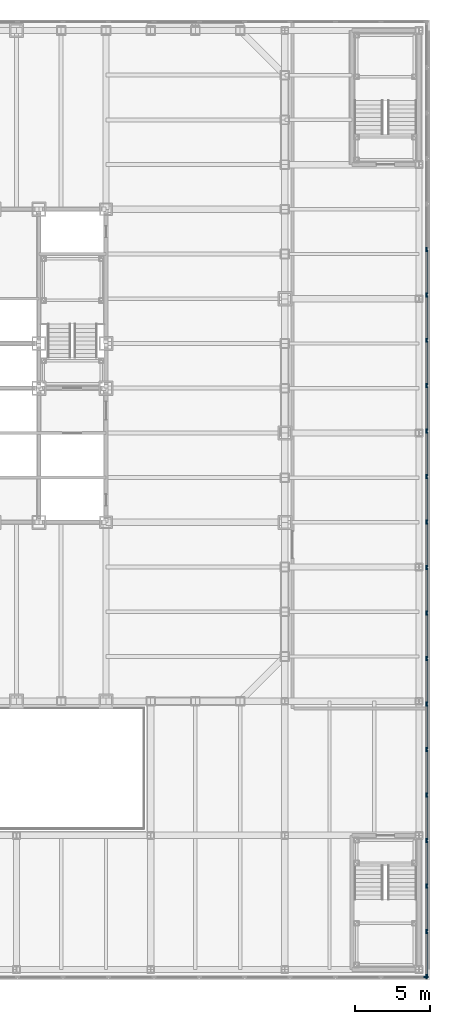
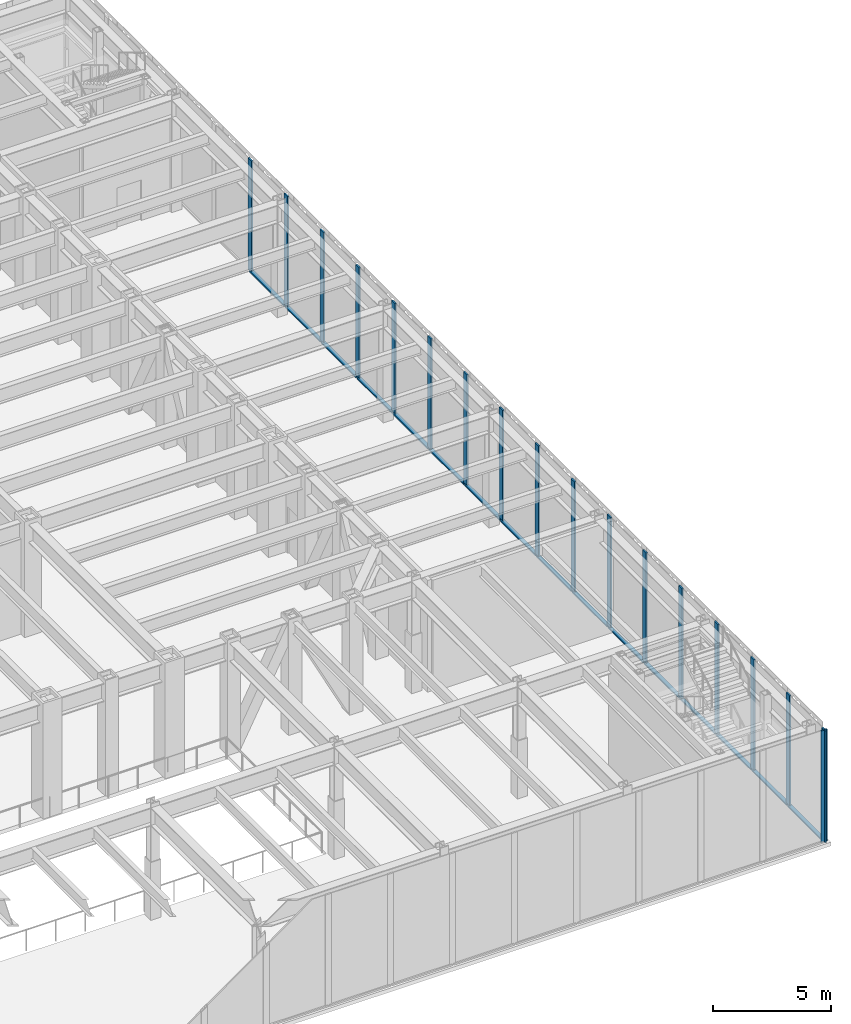
# One storey, part 9 of 32: 34 members, 2 elements without a shape of their own.
"""IFC4 building model written with IfcOpenShell, lengths in metres."""

from ifc_helpers import new_model, si_unit, direction, frame, origin, origin_2d, place, context, subcontext, project, spatial, rectangle, extrude, material, layer, layer_set, material_profile, profile_set, type_object, element, aggregate, save


model = new_model("IFC4")

# Units and contexts
model_context = context("Model", 3, precision=1e-05, world=origin(), true_north=direction((0.0, 1.0)))
body_context = subcontext(model_context, "Body", "Model", "MODEL_VIEW")
ifc_project = project(units=[si_unit("LENGTHUNIT", "METRE"), si_unit("AREAUNIT", "SQUARE_METRE"), si_unit("VOLUMEUNIT", "CUBIC_METRE"), si_unit("PLANEANGLEUNIT", "RADIAN"), si_unit("MASSUNIT", "GRAM", prefix="KILO")], contexts=[model_context])

# Site, building, storey
site_placement = place(None, origin())
site = spatial("IfcSite", under=ifc_project, at=site_placement, CompositionType="ELEMENT")
building_placement = place(site_placement, origin())
building = spatial("IfcBuilding", under=site, at=building_placement, Name="Chuquiago Exchange Tower", CompositionType="ELEMENT")
storey_placement = place(building_placement, frame((0.0, 0.0, 13.5)))
storey = spatial("IfcBuildingStorey", under=building, at=storey_placement, Name="L02", CompositionType="ELEMENT", Elevation=13.5)

# Curtain wall, member
ifc_material_1 = material(Name="Aluminium curtain wall system", Category="aluminium")
ifc_layer = layer(ifc_material_1, 0.300048828125)
ifc_layer_set = layer_set([ifc_layer], Name="CW4 podium curtain wall")
curtain_wall_type = type_object("IfcCurtainWallType", Name="CW4 podium curtain wall", PredefinedType="NOTDEFINED", material=ifc_layer_set)
curtain_wall_1_placement = place(storey_placement, origin())
curtain_wall_1 = element("IfcCurtainWall", 1, at=curtain_wall_1_placement, inside=storey, type_object=curtain_wall_type, Name="CW4 curtain wall L02", PredefinedType="NOTDEFINED")
ifc_material_2 = material(Name="Aluminium mullion, pale anodised", Category="aluminium")
ifc_material_profile_1 = material_profile(ifc_material_2, rectangle(XDim=0.074951171875, YDim=0.300048828125, at=origin_2d()), Name="AL 75x300")
ifc_profile_set_1 = profile_set([ifc_material_profile_1], Name="Aluminium mullion, pale anodised")
member_type_1 = type_object("IfcMemberType", Name="CW4-M mullion 75x300", PredefinedType="MULLION", material=ifc_profile_set_1)
member_1_placement = place(storey_placement, frame((54.46240234375, -18.5, 0.0), z_axis=(0.0, 0.0, 1.0), x_axis=(0.0, 1.0, 0.0)))
member_1 = element("IfcMember", 2, at=member_1_placement, type_object=member_type_1, Name="CW4 mullion 22", PredefinedType="MULLION", context=body_context, shape_type="SweptSolid", body=[
    extrude(rectangle(XDim=0.074951171875, YDim=0.300048828125, at=origin_2d()), origin(), (0.0, 0.0, 1.0), 5.800048828125),
])
aggregate(curtain_wall_1, [member_1])

# Curtain wall, members
curtain_wall_2_placement = place(storey_placement, origin())
curtain_wall_2 = element("IfcCurtainWall", 3, at=curtain_wall_2_placement, inside=storey, type_object=curtain_wall_type, Name="CW4 curtain wall L02", PredefinedType="NOTDEFINED")
member_2_placement = place(storey_placement, frame((54.5, -18.46240234375, 0.0), z_axis=(0.0, 0.0, 1.0), x_axis=(-1.0, 0.0, 0.0)))
member_2 = element("IfcMember", 4, at=member_2_placement, type_object=member_type_1, Name="CW4 mullion 1", PredefinedType="MULLION", context=body_context, shape_type="SweptSolid", body=[
    extrude(rectangle(XDim=0.074951171875, YDim=0.300048828125, at=origin_2d()), origin(), (0.0, 0.0, 1.0), 5.800048828125),
])
member_3_placement = place(storey_placement, frame((54.5, -15.44873046875, 0.0), z_axis=(0.0, 0.0, 1.0), x_axis=(-1.0, 0.0, 0.0)))
member_3 = element("IfcMember", 5, at=member_3_placement, type_object=member_type_1, Name="CW4 mullion 2", PredefinedType="MULLION", context=body_context, shape_type="SweptSolid", body=[
    extrude(rectangle(XDim=0.074951171875, YDim=0.300048828125, at=origin_2d()), origin(), (0.0, 0.0, 1.0), 5.800048828125),
])
member_4_placement = place(storey_placement, frame((54.5, -12.397705078125, 0.0), z_axis=(0.0, 0.0, 1.0), x_axis=(-1.0, 0.0, 0.0)))
member_4 = element("IfcMember", 6, at=member_4_placement, type_object=member_type_1, Name="CW4 mullion 3", PredefinedType="MULLION", context=body_context, shape_type="SweptSolid", body=[
    extrude(rectangle(XDim=0.074951171875, YDim=0.300048828125, at=origin_2d()), origin(), (0.0, 0.0, 1.0), 5.800048828125),
])
member_5_placement = place(storey_placement, frame((54.5, -9.346435546875, 0.0), z_axis=(0.0, 0.0, 1.0), x_axis=(-1.0, 0.0, 0.0)))
member_5 = element("IfcMember", 7, at=member_5_placement, type_object=member_type_1, Name="CW4 mullion 4", PredefinedType="MULLION", context=body_context, shape_type="SweptSolid", body=[
    extrude(rectangle(XDim=0.074951171875, YDim=0.300048828125, at=origin_2d()), origin(), (0.0, 0.0, 1.0), 5.800048828125),
])
member_6_placement = place(storey_placement, frame((54.5, -6.295166015625, 0.0), z_axis=(0.0, 0.0, 1.0), x_axis=(-1.0, 0.0, 0.0)))
member_6 = element("IfcMember", 8, at=member_6_placement, type_object=member_type_1, Name="CW4 mullion 5", PredefinedType="MULLION", context=body_context, shape_type="SweptSolid", body=[
    extrude(rectangle(XDim=0.074951171875, YDim=0.300048828125, at=origin_2d()), origin(), (0.0, 0.0, 1.0), 5.800048828125),
])
member_7_placement = place(storey_placement, frame((54.5, -3.244140625, 0.0), z_axis=(0.0, 0.0, 1.0), x_axis=(-1.0, 0.0, 0.0)))
member_7 = element("IfcMember", 9, at=member_7_placement, type_object=member_type_1, Name="CW4 mullion 6", PredefinedType="MULLION", context=body_context, shape_type="SweptSolid", body=[
    extrude(rectangle(XDim=0.074951171875, YDim=0.300048828125, at=origin_2d()), origin(), (0.0, 0.0, 1.0), 5.800048828125),
])
member_8_placement = place(storey_placement, frame((54.5, -0.19287109375, 0.0), z_axis=(0.0, 0.0, 1.0), x_axis=(-1.0, 0.0, 0.0)))
member_8 = element("IfcMember", 10, at=member_8_placement, type_object=member_type_1, Name="CW4 mullion 7", PredefinedType="MULLION", context=body_context, shape_type="SweptSolid", body=[
    extrude(rectangle(XDim=0.074951171875, YDim=0.300048828125, at=origin_2d()), origin(), (0.0, 0.0, 1.0), 5.800048828125),
])
member_9_placement = place(storey_placement, frame((54.5, 2.8583984375, 0.0), z_axis=(0.0, 0.0, 1.0), x_axis=(-1.0, 0.0, 0.0)))
member_9 = element("IfcMember", 11, at=member_9_placement, type_object=member_type_1, Name="CW4 mullion 8", PredefinedType="MULLION", context=body_context, shape_type="SweptSolid", body=[
    extrude(rectangle(XDim=0.074951171875, YDim=0.300048828125, at=origin_2d()), origin(), (0.0, 0.0, 1.0), 5.800048828125),
])
member_10_placement = place(storey_placement, frame((54.5, 5.909423828125, 0.0), z_axis=(0.0, 0.0, 1.0), x_axis=(-1.0, 0.0, 0.0)))
member_10 = element("IfcMember", 12, at=member_10_placement, type_object=member_type_1, Name="CW4 mullion 9", PredefinedType="MULLION", context=body_context, shape_type="SweptSolid", body=[
    extrude(rectangle(XDim=0.074951171875, YDim=0.300048828125, at=origin_2d()), origin(), (0.0, 0.0, 1.0), 5.800048828125),
])
member_11_placement = place(storey_placement, frame((54.5, 8.960693359375, 0.0), z_axis=(0.0, 0.0, 1.0), x_axis=(-1.0, 0.0, 0.0)))
member_11 = element("IfcMember", 13, at=member_11_placement, type_object=member_type_1, Name="CW4 mullion 10", PredefinedType="MULLION", context=body_context, shape_type="SweptSolid", body=[
    extrude(rectangle(XDim=0.074951171875, YDim=0.300048828125, at=origin_2d()), origin(), (0.0, 0.0, 1.0), 5.800048828125),
])
member_12_placement = place(storey_placement, frame((54.5, 12.011962890625, 0.0), z_axis=(0.0, 0.0, 1.0), x_axis=(-1.0, 0.0, 0.0)))
member_12 = element("IfcMember", 14, at=member_12_placement, type_object=member_type_1, Name="CW4 mullion 11", PredefinedType="MULLION", context=body_context, shape_type="SweptSolid", body=[
    extrude(rectangle(XDim=0.074951171875, YDim=0.300048828125, at=origin_2d()), origin(), (0.0, 0.0, 1.0), 5.800048828125),
])
member_13_placement = place(storey_placement, frame((54.5, 15.06298828125, 0.0), z_axis=(0.0, 0.0, 1.0), x_axis=(-1.0, 0.0, 0.0)))
member_13 = element("IfcMember", 15, at=member_13_placement, type_object=member_type_1, Name="CW4 mullion 12", PredefinedType="MULLION", context=body_context, shape_type="SweptSolid", body=[
    extrude(rectangle(XDim=0.074951171875, YDim=0.300048828125, at=origin_2d()), origin(), (0.0, 0.0, 1.0), 5.800048828125),
])
member_14_placement = place(storey_placement, frame((54.5, 18.1142578125, 0.0), z_axis=(0.0, 0.0, 1.0), x_axis=(-1.0, 0.0, 0.0)))
member_14 = element("IfcMember", 16, at=member_14_placement, type_object=member_type_1, Name="CW4 mullion 13", PredefinedType="MULLION", context=body_context, shape_type="SweptSolid", body=[
    extrude(rectangle(XDim=0.074951171875, YDim=0.300048828125, at=origin_2d()), origin(), (0.0, 0.0, 1.0), 5.800048828125),
])
member_15_placement = place(storey_placement, frame((54.5, 21.16552734375, 0.0), z_axis=(0.0, 0.0, 1.0), x_axis=(-1.0, 0.0, 0.0)))
member_15 = element("IfcMember", 17, at=member_15_placement, type_object=member_type_1, Name="CW4 mullion 14", PredefinedType="MULLION", context=body_context, shape_type="SweptSolid", body=[
    extrude(rectangle(XDim=0.074951171875, YDim=0.300048828125, at=origin_2d()), origin(), (0.0, 0.0, 1.0), 5.800048828125),
])
member_16_placement = place(storey_placement, frame((54.5, 24.216552734375, 0.0), z_axis=(0.0, 0.0, 1.0), x_axis=(-1.0, 0.0, 0.0)))
member_16 = element("IfcMember", 18, at=member_16_placement, type_object=member_type_1, Name="CW4 mullion 15", PredefinedType="MULLION", context=body_context, shape_type="SweptSolid", body=[
    extrude(rectangle(XDim=0.074951171875, YDim=0.300048828125, at=origin_2d()), origin(), (0.0, 0.0, 1.0), 5.800048828125),
])
member_17_placement = place(storey_placement, frame((54.5, 27.267822265625, 0.0), z_axis=(0.0, 0.0, 1.0), x_axis=(-1.0, 0.0, 0.0)))
member_17 = element("IfcMember", 19, at=member_17_placement, type_object=member_type_1, Name="CW4 mullion 16", PredefinedType="MULLION", context=body_context, shape_type="SweptSolid", body=[
    extrude(rectangle(XDim=0.074951171875, YDim=0.300048828125, at=origin_2d()), origin(), (0.0, 0.0, 1.0), 5.800048828125),
])
member_18_placement = place(storey_placement, frame((54.5, 30.319091796875, 0.0), z_axis=(0.0, 0.0, 1.0), x_axis=(-1.0, 0.0, 0.0)))
member_18 = element("IfcMember", 20, at=member_18_placement, type_object=member_type_1, Name="CW4 mullion 17", PredefinedType="MULLION", context=body_context, shape_type="SweptSolid", body=[
    extrude(rectangle(XDim=0.074951171875, YDim=0.300048828125, at=origin_2d()), origin(), (0.0, 0.0, 1.0), 5.800048828125),
])
ifc_material_3 = material(Name="Aluminium transom, pale anodised", Category="aluminium")
ifc_material_profile_2 = material_profile(ifc_material_3, rectangle(XDim=0.179931640625, YDim=0.074951171875, at=origin_2d()), Name="AL 180x75")
ifc_profile_set_2 = profile_set([ifc_material_profile_2], Name="Aluminium transom, pale anodised")
member_type_2 = type_object("IfcMemberType", Name="CW4-T transom 75x180", PredefinedType="MULLION", material=ifc_profile_set_2)
member_19_placement = place(storey_placement, frame((54.5, -18.425048828125, 0.03759765625), z_axis=(0.0, 1.0, 0.0), x_axis=(-1.0, 0.0, 0.0)))
member_19 = element("IfcMember", 21, at=member_19_placement, type_object=member_type_2, Name="CW4 transom 1.1", PredefinedType="MULLION", context=body_context, shape_type="SweptSolid", body=[
    extrude(rectangle(XDim=0.179931640625, YDim=0.074951171875, at=origin_2d()), origin(), (0.0, 0.0, 1.0), 2.938720703125),
])
member_20_placement = place(storey_placement, frame((54.5, -15.411376953125, 0.03759765625), z_axis=(0.0, 1.0, 0.0), x_axis=(-1.0, 0.0, 0.0)))
member_20 = element("IfcMember", 22, at=member_20_placement, type_object=member_type_2, Name="CW4 transom 2.1", PredefinedType="MULLION", context=body_context, shape_type="SweptSolid", body=[
    extrude(rectangle(XDim=0.179931640625, YDim=0.074951171875, at=origin_2d()), origin(), (0.0, 0.0, 1.0), 2.976318359375),
])
member_21_placement = place(storey_placement, frame((54.5, -12.360107421875, 0.03759765625), z_axis=(0.0, 1.0, 0.0), x_axis=(-1.0, 0.0, 0.0)))
member_21 = element("IfcMember", 23, at=member_21_placement, type_object=member_type_2, Name="CW4 transom 3.1", PredefinedType="MULLION", context=body_context, shape_type="SweptSolid", body=[
    extrude(rectangle(XDim=0.179931640625, YDim=0.074951171875, at=origin_2d()), origin(), (0.0, 0.0, 1.0), 2.97607421875),
])
member_22_placement = place(storey_placement, frame((54.5, -9.308837890625, 0.03759765625), z_axis=(0.0, 1.0, 0.0), x_axis=(-1.0, 0.0, 0.0)))
member_22 = element("IfcMember", 24, at=member_22_placement, type_object=member_type_2, Name="CW4 transom 4.1", PredefinedType="MULLION", context=body_context, shape_type="SweptSolid", body=[
    extrude(rectangle(XDim=0.179931640625, YDim=0.074951171875, at=origin_2d()), origin(), (0.0, 0.0, 1.0), 2.97607421875),
])
member_23_placement = place(storey_placement, frame((54.5, -6.2578125, 0.03759765625), z_axis=(0.0, 1.0, 0.0), x_axis=(-1.0, 0.0, 0.0)))
member_23 = element("IfcMember", 25, at=member_23_placement, type_object=member_type_2, Name="CW4 transom 5.1", PredefinedType="MULLION", context=body_context, shape_type="SweptSolid", body=[
    extrude(rectangle(XDim=0.179931640625, YDim=0.074951171875, at=origin_2d()), origin(), (0.0, 0.0, 1.0), 2.976318359375),
])
member_24_placement = place(storey_placement, frame((54.5, -3.20654296875, 0.03759765625), z_axis=(0.0, 1.0, 0.0), x_axis=(-1.0, 0.0, 0.0)))
member_24 = element("IfcMember", 26, at=member_24_placement, type_object=member_type_2, Name="CW4 transom 6.1", PredefinedType="MULLION", context=body_context, shape_type="SweptSolid", body=[
    extrude(rectangle(XDim=0.179931640625, YDim=0.074951171875, at=origin_2d()), origin(), (0.0, 0.0, 1.0), 2.97607421875),
])
member_25_placement = place(storey_placement, frame((54.5, -0.1552734375, 0.03759765625), z_axis=(0.0, 1.0, 0.0), x_axis=(-1.0, 0.0, 0.0)))
member_25 = element("IfcMember", 27, at=member_25_placement, type_object=member_type_2, Name="CW4 transom 7.1", PredefinedType="MULLION", context=body_context, shape_type="SweptSolid", body=[
    extrude(rectangle(XDim=0.179931640625, YDim=0.074951171875, at=origin_2d()), origin(), (0.0, 0.0, 1.0), 2.97607421875),
])
member_26_placement = place(storey_placement, frame((54.5, 2.895751953125, 0.03759765625), z_axis=(0.0, 1.0, 0.0), x_axis=(-1.0, 0.0, 0.0)))
member_26 = element("IfcMember", 28, at=member_26_placement, type_object=member_type_2, Name="CW4 transom 8.1", PredefinedType="MULLION", context=body_context, shape_type="SweptSolid", body=[
    extrude(rectangle(XDim=0.179931640625, YDim=0.074951171875, at=origin_2d()), origin(), (0.0, 0.0, 1.0), 2.976318359375),
])
member_27_placement = place(storey_placement, frame((54.5, 5.947021484375, 0.03759765625), z_axis=(0.0, 1.0, 0.0), x_axis=(-1.0, 0.0, 0.0)))
member_27 = element("IfcMember", 29, at=member_27_placement, type_object=member_type_2, Name="CW4 transom 9.1", PredefinedType="MULLION", context=body_context, shape_type="SweptSolid", body=[
    extrude(rectangle(XDim=0.179931640625, YDim=0.074951171875, at=origin_2d()), origin(), (0.0, 0.0, 1.0), 2.97607421875),
])
member_28_placement = place(storey_placement, frame((54.5, 8.998291015625, 0.03759765625), z_axis=(0.0, 1.0, 0.0), x_axis=(-1.0, 0.0, 0.0)))
member_28 = element("IfcMember", 30, at=member_28_placement, type_object=member_type_2, Name="CW4 transom 10.1", PredefinedType="MULLION", context=body_context, shape_type="SweptSolid", body=[
    extrude(rectangle(XDim=0.179931640625, YDim=0.074951171875, at=origin_2d()), origin(), (0.0, 0.0, 1.0), 2.97607421875),
])
member_29_placement = place(storey_placement, frame((54.5, 12.04931640625, 0.03759765625), z_axis=(0.0, 1.0, 0.0), x_axis=(-1.0, 0.0, 0.0)))
member_29 = element("IfcMember", 31, at=member_29_placement, type_object=member_type_2, Name="CW4 transom 11.1", PredefinedType="MULLION", context=body_context, shape_type="SweptSolid", body=[
    extrude(rectangle(XDim=0.179931640625, YDim=0.074951171875, at=origin_2d()), origin(), (0.0, 0.0, 1.0), 2.976318359375),
])
member_30_placement = place(storey_placement, frame((54.5, 15.1005859375, 0.03759765625), z_axis=(0.0, 1.0, 0.0), x_axis=(-1.0, 0.0, 0.0)))
member_30 = element("IfcMember", 32, at=member_30_placement, type_object=member_type_2, Name="CW4 transom 12.1", PredefinedType="MULLION", context=body_context, shape_type="SweptSolid", body=[
    extrude(rectangle(XDim=0.179931640625, YDim=0.074951171875, at=origin_2d()), origin(), (0.0, 0.0, 1.0), 2.976318359375),
])
member_31_placement = place(storey_placement, frame((54.5, 18.15185546875, 0.03759765625), z_axis=(0.0, 1.0, 0.0), x_axis=(-1.0, 0.0, 0.0)))
member_31 = element("IfcMember", 33, at=member_31_placement, type_object=member_type_2, Name="CW4 transom 13.1", PredefinedType="MULLION", context=body_context, shape_type="SweptSolid", body=[
    extrude(rectangle(XDim=0.179931640625, YDim=0.074951171875, at=origin_2d()), origin(), (0.0, 0.0, 1.0), 2.97607421875),
])
member_32_placement = place(storey_placement, frame((54.5, 21.202880859375, 0.03759765625), z_axis=(0.0, 1.0, 0.0), x_axis=(-1.0, 0.0, 0.0)))
member_32 = element("IfcMember", 34, at=member_32_placement, type_object=member_type_2, Name="CW4 transom 14.1", PredefinedType="MULLION", context=body_context, shape_type="SweptSolid", body=[
    extrude(rectangle(XDim=0.179931640625, YDim=0.074951171875, at=origin_2d()), origin(), (0.0, 0.0, 1.0), 2.976318359375),
])
member_33_placement = place(storey_placement, frame((54.5, 24.254150390625, 0.03759765625), z_axis=(0.0, 1.0, 0.0), x_axis=(-1.0, 0.0, 0.0)))
member_33 = element("IfcMember", 35, at=member_33_placement, type_object=member_type_2, Name="CW4 transom 15.1", PredefinedType="MULLION", context=body_context, shape_type="SweptSolid", body=[
    extrude(rectangle(XDim=0.179931640625, YDim=0.074951171875, at=origin_2d()), origin(), (0.0, 0.0, 1.0), 2.976318359375),
])
member_34_placement = place(storey_placement, frame((54.5, 27.305419921875, 0.03759765625), z_axis=(0.0, 1.0, 0.0), x_axis=(-1.0, 0.0, 0.0)))
member_34 = element("IfcMember", 36, at=member_34_placement, type_object=member_type_2, Name="CW4 transom 16.1", PredefinedType="MULLION", context=body_context, shape_type="SweptSolid", body=[
    extrude(rectangle(XDim=0.179931640625, YDim=0.074951171875, at=origin_2d()), origin(), (0.0, 0.0, 1.0), 2.97607421875),
])
aggregate(curtain_wall_2, [member_2, member_3, member_4, member_5, member_6, member_7, member_8, member_9, member_10, member_11, member_12, member_13, member_14, member_15, member_16, member_17, member_18, member_19, member_20, member_21, member_22, member_23, member_24, member_25, member_26, member_27, member_28, member_29, member_30, member_31, member_32, member_33, member_34])

save(model, "model.ifc")
